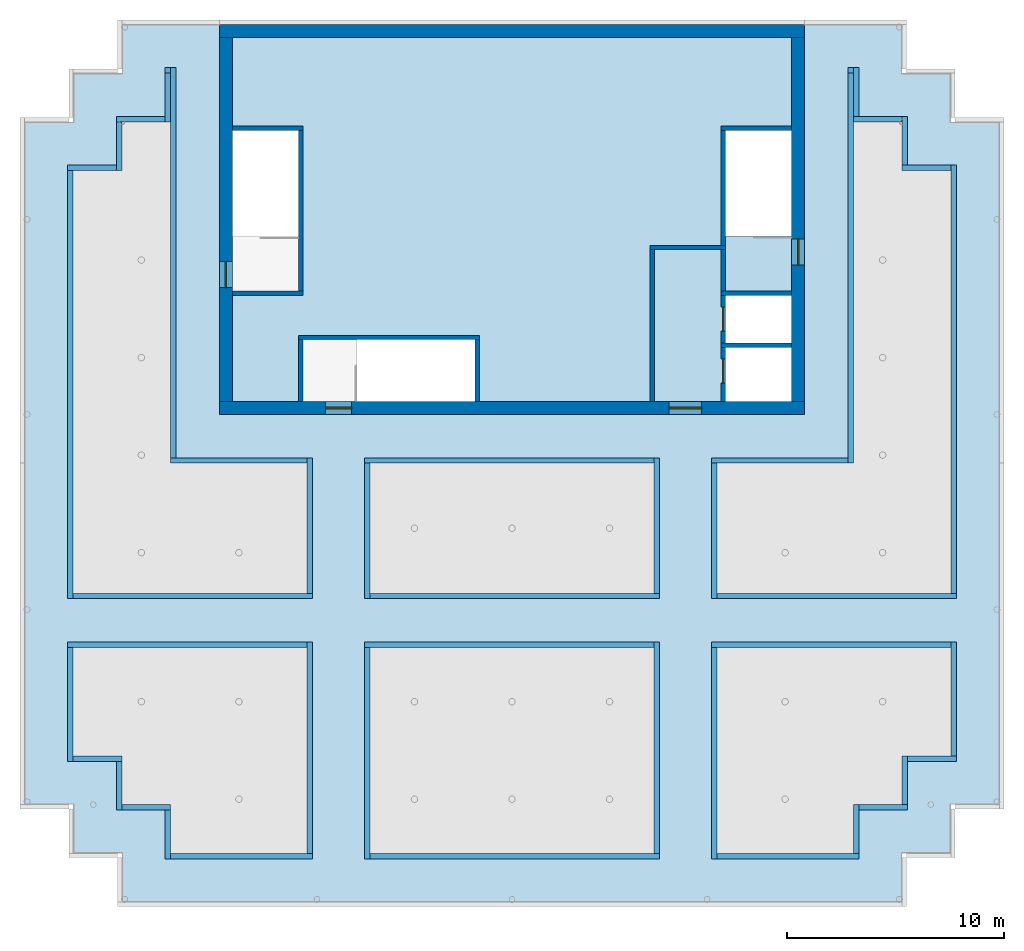
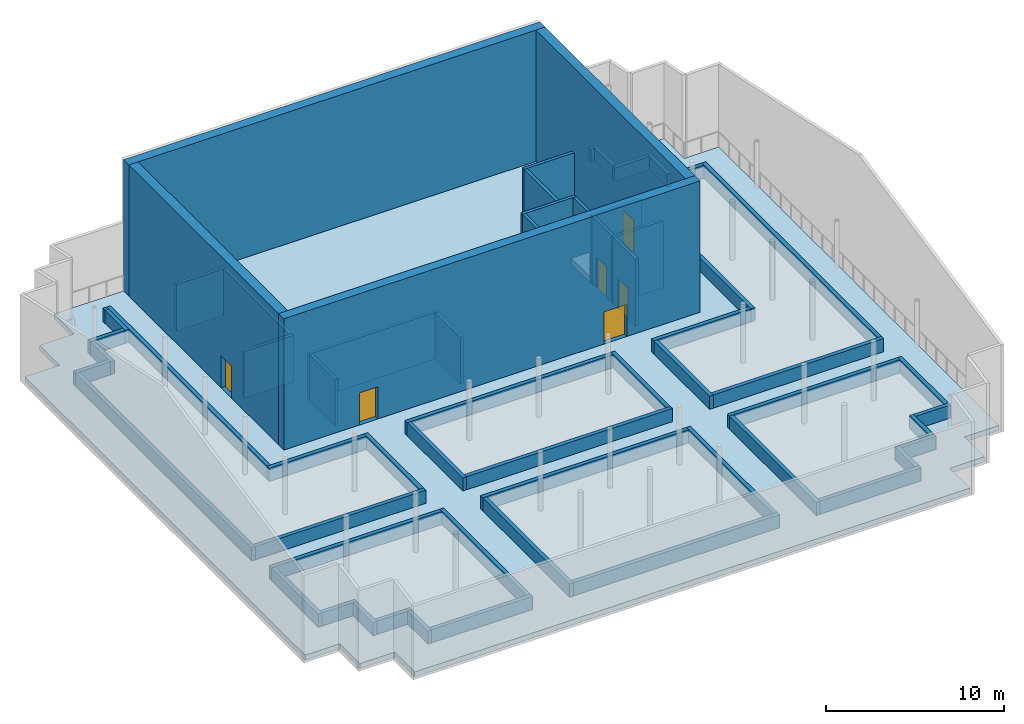
# One storey, part 6 of 9: 63 walls, 6 doors, 3 slabs, 6 openings.
"""IFC4 building model written with IfcOpenShell, lengths in metres."""

from ifc_helpers import new_model, si_unit, direction, frame, frame_2d, origin, place, context, subcontext, project, spatial, polyline, rectangle, outline, extrude, material, layer, layer_set, type_object, element, fill, save


model = new_model("IFC4")

# Units and contexts
model_context = context("Model", 3, precision=1e-05, world=origin(), true_north=direction((0.0, 1.0)))
body_context = subcontext(model_context, "Body", "Model", "MODEL_VIEW")
ifc_project = project(units=[si_unit("LENGTHUNIT", "METRE"), si_unit("AREAUNIT", "SQUARE_METRE"), si_unit("VOLUMEUNIT", "CUBIC_METRE"), si_unit("PLANEANGLEUNIT", "RADIAN"), si_unit("MASSUNIT", "GRAM", prefix="KILO")], contexts=[model_context])

# Site, building, storey
site_placement = place(None, origin())
site = spatial("IfcSite", under=ifc_project, at=site_placement, CompositionType="ELEMENT")
building_placement = place(site_placement, origin())
building = spatial("IfcBuilding", under=site, at=building_placement, Name="Orbiselva Terraces", CompositionType="ELEMENT")
storey_placement = place(building_placement, frame((0.0, 0.0, 303.4)))
storey = spatial("IfcBuildingStorey", under=building, at=storey_placement, Name="L75", CompositionType="ELEMENT", Elevation=303.4)

# Slabs
ifc_material_1 = material(Name="Concrete C40/50", Category="concrete")
ifc_layer_1 = layer(ifc_material_1, 0.35)
ifc_layer_set_1 = layer_set([ifc_layer_1], Name="Concrete C40/50")
slab_type_1 = type_object("IfcSlabType", Name="CORE-SLAB-ROOF-350", PredefinedType="ROOF", material=ifc_layer_set_1)
slab_1_placement = place(storey_placement, frame((0.0, 0.0, -0.35)))
element("IfcSlab", 1, at=slab_1_placement, inside=storey, type_object=slab_type_1, Name="L75 S2 roof landing", PredefinedType="ROOF", context=body_context, shape_type="SweptSolid", body=[
    extrude(outline(polyline([(12.9, 12.7), (12.9, 10.2), (9.85, 10.2), (9.85, 12.7), (12.9, 12.7)])), origin(), (0.0, 0.0, 1.0), 0.35),
])
slab_2_placement = place(storey_placement, frame((0.0, 0.0, -0.35)))
element("IfcSlab", 2, at=slab_2_placement, inside=storey, type_object=slab_type_1, Name="L75 core roof slab 1", PredefinedType="ROOF", context=body_context, shape_type="SweptSolid", body=[
    extrude(outline(polyline([(-1.7, 5.1), (-1.7, 7.95), (-9.65, 7.95), (-9.65, 5.1), (-12.9, 5.1), (-12.9, 10.2), (-9.85, 10.2), (-9.85, 17.6), (-12.9, 17.6), (-12.9, 21.9), (12.9, 21.9), (12.9, 17.6), (9.85, 17.6), (9.85, 10.2), (12.9, 10.2), (12.9, 10.0), (9.85, 10.0), (9.85, 7.8), (12.9, 7.8), (12.9, 7.6), (9.85, 7.6), (9.85, 5.1), (-1.7, 5.1)])), origin(), (0.0, 0.0, 1.0), 0.35),
])
ifc_material_2 = material(Name="Concrete C50/60", Category="concrete")
ifc_layer_2 = layer(ifc_material_2, 0.35)
ifc_layer_set_2 = layer_set([ifc_layer_2], Name="Concrete C50/60")
slab_type_2 = type_object("IfcSlabType", Name="ROOF SLAB 350", PredefinedType="ROOF", material=ifc_layer_set_2)
slab_3_placement = place(storey_placement, frame((0.0, 0.0, -0.35)))
element("IfcSlab", 3, at=slab_3_placement, inside=storey, type_object=slab_type_2, Name="Floor slab L75", PredefinedType="ROOF", context=body_context, shape_type="SweptSolid", body=[
    extrude(outline(polyline([(18.0, 22.5), (18.0, 20.25), (20.25, 20.25), (20.25, 18.0), (22.5, 18.0), (22.5, -13.5), (20.25, -13.5), (20.25, -15.75), (18.0, -15.75), (18.0, -18.0), (-18.0, -18.0), (-18.0, -15.75), (-20.25, -15.75), (-20.25, -13.5), (-22.5, -13.5), (-22.5, 18.0), (-20.25, 18.0), (-20.25, 20.25), (-18.0, 20.25), (-18.0, 22.5), (-13.5, 22.5), (-13.5, 4.5), (13.5, 4.5), (13.5, 22.5), (18.0, 22.5)])), origin(), (0.0, 0.0, 1.0), 0.35),
])

# Wall, openings, doors
ifc_material_3 = material(Name="Concrete C80/95", Category="concrete")
ifc_layer_3 = layer(ifc_material_3, 0.6)
ifc_layer_set_3 = layer_set([ifc_layer_3], Name="Concrete C80/95")
wall_type_1 = type_object("IfcWallType", Name="CORE WALL 600", PredefinedType="SHEAR", material=ifc_layer_set_3)
wall_1_placement = place(storey_placement, frame((-13.5, 4.8, -0.35), z_axis=(0.0, 0.0, 1.0), x_axis=(1.0, 0.0, 0.0)))
wall_1 = element("IfcWall", 4, at=wall_1_placement, inside=storey, type_object=wall_type_1, Name="Core wall L75 south", PredefinedType="SHEAR", context=body_context, shape_type="SweptSolid", body=[
    extrude(rectangle(XDim=27.0, YDim=0.6, at=frame_2d((13.5, 0.0))), origin(), (0.0, 0.0, 1.0), 9.35),
])
opening_1_placement = place(wall_1_placement, frame((4.9, 0.0, 0.35)))
opening_1 = element("IfcOpeningElement", 5, at=opening_1_placement, cuts=wall_1, Name="Opening DS1200", PredefinedType="OPENING", context=body_context, shape_type="SweptSolid", body=[
    extrude(rectangle(XDim=1.2, YDim=2.2, at=frame_2d((0.6, 1.1))), frame((0.0, 0.31, 0.0), z_axis=(0.0, -1.0, 0.0), x_axis=(1.0, 0.0, 0.0)), (0.0, 0.0, 1.0), 0.62),
])
opening_2_placement = place(wall_1_placement, frame((20.75, 0.0, 0.35)))
opening_2 = element("IfcOpeningElement", 6, at=opening_2_placement, cuts=wall_1, Name="Opening DF1500", PredefinedType="OPENING", context=body_context, shape_type="SweptSolid", body=[
    extrude(rectangle(XDim=1.5, YDim=2.2, at=frame_2d((0.75, 1.1))), frame((0.0, 0.31, 0.0), z_axis=(0.0, -1.0, 0.0), x_axis=(1.0, 0.0, 0.0)), (0.0, 0.0, 1.0), 0.62),
])
ifc_material_4 = material(Name="Steel fire door", Category="steel")
door_type_1 = type_object("IfcDoorType", Name="FFL DOOR 1500", OperationType="DOUBLE_DOOR_SINGLE_SWING", PredefinedType="DOOR", material=ifc_material_4)
door_1_placement = place(opening_2_placement, frame((1.5, 0.0, 0.0), z_axis=(0.0, 0.0, 1.0), x_axis=(-1.0, 0.0, 0.0)))
door_1 = element("IfcDoor", 7, at=door_1_placement, inside=storey, type_object=door_type_1, Name="L75 FIRE-FIGHTING LOBBY door", OperationType="DOUBLE_DOOR_SINGLE_SWING", OverallHeight=2.2, OverallWidth=1.5, PredefinedType="DOOR", context=body_context, shape_type="SweptSolid", body=[
    extrude(rectangle(XDim=1.5, YDim=2.2, at=frame_2d((0.75, 1.1))), frame((0.0, 0.025, 0.0), z_axis=(0.0, -1.0, 0.0), x_axis=(1.0, 0.0, 0.0)), (0.0, 0.0, 1.0), 0.05),
])
fill(opening_2, door_1)
door_type_2 = type_object("IfcDoorType", Name="STAIR DOOR 1200", OperationType="NOTDEFINED", PredefinedType="DOOR", material=ifc_material_4)
door_2_placement = place(opening_1_placement, frame((1.2, 0.0, 0.0), z_axis=(0.0, 0.0, 1.0), x_axis=(-1.0, 0.0, 0.0)))
door_2 = element("IfcDoor", 8, at=door_2_placement, inside=storey, type_object=door_type_2, Name="L75 EXIT STAIR S3 door", OperationType="SINGLE_SWING_LEFT", OverallHeight=2.2, OverallWidth=1.2, PredefinedType="DOOR", context=body_context, shape_type="SweptSolid", body=[
    extrude(rectangle(XDim=1.2, YDim=2.2, at=frame_2d((0.6, 1.1))), frame((0.0, 0.025, 0.0), z_axis=(0.0, -1.0, 0.0), x_axis=(1.0, 0.0, 0.0)), (0.0, 0.0, 1.0), 0.05),
])
fill(opening_1, door_2)

# Wall, opening, door
wall_2_placement = place(storey_placement, frame((13.2, 5.1, -0.35), z_axis=(0.0, 0.0, 1.0), x_axis=(0.0, 1.0, 0.0)))
wall_2 = element("IfcWall", 9, at=wall_2_placement, inside=storey, type_object=wall_type_1, Name="Core wall L75 east", PredefinedType="SHEAR", context=body_context, shape_type="SweptSolid", body=[
    extrude(rectangle(XDim=16.8, YDim=0.6, at=frame_2d((8.4, 0.0))), origin(), (0.0, 0.0, 1.0), 9.35),
])
opening_3_placement = place(wall_2_placement, frame((6.3, 0.0, 0.35)))
opening_3 = element("IfcOpeningElement", 10, at=opening_3_placement, cuts=wall_2, Name="Opening DS1200", PredefinedType="OPENING", context=body_context, shape_type="SweptSolid", body=[
    extrude(rectangle(XDim=1.2, YDim=2.2, at=frame_2d((0.6, 1.1))), frame((0.0, 0.31, 0.0), z_axis=(0.0, -1.0, 0.0), x_axis=(1.0, 0.0, 0.0)), (0.0, 0.0, 1.0), 0.62),
])
door_3_placement = place(opening_3_placement, frame((1.2, 0.0, 0.0), z_axis=(0.0, 0.0, 1.0), x_axis=(-1.0, 0.0, 0.0)))
door_3 = element("IfcDoor", 11, at=door_3_placement, inside=storey, type_object=door_type_2, Name="L75 EXIT STAIR S2 door", OperationType="SINGLE_SWING_LEFT", OverallHeight=2.2, OverallWidth=1.2, PredefinedType="DOOR", context=body_context, shape_type="SweptSolid", body=[
    extrude(rectangle(XDim=1.2, YDim=2.2, at=frame_2d((0.6, 1.1))), frame((0.0, 0.025, 0.0), z_axis=(0.0, -1.0, 0.0), x_axis=(1.0, 0.0, 0.0)), (0.0, 0.0, 1.0), 0.05),
])
fill(opening_3, door_3)

wall_3_placement = place(storey_placement, frame((-13.2, 21.9, -0.35), z_axis=(0.0, 0.0, 1.0), x_axis=(0.0, -1.0, 0.0)))
wall_3 = element("IfcWall", 12, at=wall_3_placement, inside=storey, type_object=wall_type_1, Name="Core wall L75 west", PredefinedType="SHEAR", context=body_context, shape_type="SweptSolid", body=[
    extrude(rectangle(XDim=16.8, YDim=0.6, at=frame_2d((8.4, 0.0))), origin(), (0.0, 0.0, 1.0), 9.35),
])
opening_4_placement = place(wall_3_placement, frame((10.35, 0.0, 0.35)))
opening_4 = element("IfcOpeningElement", 13, at=opening_4_placement, cuts=wall_3, Name="Opening DS1200", PredefinedType="OPENING", context=body_context, shape_type="SweptSolid", body=[
    extrude(rectangle(XDim=1.2, YDim=2.2, at=frame_2d((0.6, 1.1))), frame((0.0, 0.31, 0.0), z_axis=(0.0, -1.0, 0.0), x_axis=(1.0, 0.0, 0.0)), (0.0, 0.0, 1.0), 0.62),
])
door_4_placement = place(opening_4_placement, frame((1.2, 0.0, 0.0), z_axis=(0.0, 0.0, 1.0), x_axis=(-1.0, 0.0, 0.0)))
door_4 = element("IfcDoor", 14, at=door_4_placement, inside=storey, type_object=door_type_2, Name="L75 EXIT STAIR S1 door", OperationType="SINGLE_SWING_RIGHT", OverallHeight=2.2, OverallWidth=1.2, PredefinedType="DOOR", context=body_context, shape_type="SweptSolid", body=[
    extrude(rectangle(XDim=1.2, YDim=2.2, at=frame_2d((0.6, 1.1))), frame((0.0, 0.025, 0.0), z_axis=(0.0, -1.0, 0.0), x_axis=(1.0, 0.0, 0.0)), (0.0, 0.0, 1.0), 0.05),
])
fill(opening_4, door_4)

# Walls
ifc_layer_4 = layer(ifc_material_3, 0.6)
ifc_layer_set_4 = layer_set([ifc_layer_4], Name="Concrete C80/95")
wall_type_2 = type_object("IfcWallType", Name="CORE WALL 600 EXTERNAL", PredefinedType="SHEAR", material=ifc_layer_set_4)
wall_4_placement = place(storey_placement, frame((13.5, 22.2, -0.35), z_axis=(0.0, 0.0, 1.0), x_axis=(-1.0, 0.0, 0.0)))
element("IfcWall", 15, at=wall_4_placement, inside=storey, type_object=wall_type_2, Name="Core wall L75 north", PredefinedType="SHEAR", context=body_context, shape_type="SweptSolid", body=[
    extrude(rectangle(XDim=27.0, YDim=0.6, at=frame_2d((13.5, 0.0))), origin(), (0.0, 0.0, 1.0), 9.35),
])
ifc_material_5 = material(Name="Concrete C60/75", Category="concrete")
ifc_layer_5 = layer(ifc_material_5, 0.2)
ifc_layer_set_5 = layer_set([ifc_layer_5], Name="Concrete C60/75")
wall_type_3 = type_object("IfcWallType", Name="CORE-WALL-SHEAR-200", PredefinedType="SHEAR", material=ifc_layer_set_5)
for number, where, z_axis, x_axis, name in (
    (16, (-12.9, 10.1, 0.0), (0.0, 0.0, 1.0), (1.0, 0.0, 0.0), "L75 core wall 01"),
    (17, (-12.9, 17.7, 0.0), (0.0, 0.0, 1.0), (1.0, 0.0, 0.0), "L75 core wall 02"),
):
    element("IfcWall", number, at=place(storey_placement, frame(where, z_axis=z_axis, x_axis=x_axis)), inside=storey, type_object=wall_type_3, Name=name, PredefinedType="SHEAR", context=body_context, shape_type="SweptSolid", body=[
        extrude(rectangle(XDim=3.25, YDim=0.2, at=frame_2d((1.625, 0.0))), origin(), (0.0, 0.0, 1.0), 3.2),
    ])
wall_5_placement = place(storey_placement, frame((-9.75, 5.1, 0.0), z_axis=(0.0, 0.0, 1.0), x_axis=(0.0, 1.0, 0.0)))
element("IfcWall", 18, at=wall_5_placement, inside=storey, type_object=wall_type_3, Name="L75 core wall 03", PredefinedType="SHEAR", context=body_context, shape_type="SweptSolid", body=[
    extrude(rectangle(XDim=2.85, YDim=0.2, at=frame_2d((1.425, 0.0))), origin(), (0.0, 0.0, 1.0), 3.2),
])
wall_6_placement = place(storey_placement, frame((-9.85, 8.05, 0.0), z_axis=(0.0, 0.0, 1.0), x_axis=(1.0, 0.0, 0.0)))
element("IfcWall", 19, at=wall_6_placement, inside=storey, type_object=wall_type_3, Name="L75 core wall 04", PredefinedType="SHEAR", context=body_context, shape_type="SweptSolid", body=[
    extrude(rectangle(XDim=8.35, YDim=0.2, at=frame_2d((4.175, 0.0))), origin(), (0.0, 0.0, 1.0), 3.2),
])
wall_7_placement = place(storey_placement, frame((-9.75, 10.2, 0.0), z_axis=(0.0, 0.0, 1.0), x_axis=(0.0, 1.0, 0.0)))
element("IfcWall", 20, at=wall_7_placement, inside=storey, type_object=wall_type_3, Name="L75 core wall 05", PredefinedType="SHEAR", context=body_context, shape_type="SweptSolid", body=[
    extrude(rectangle(XDim=7.4, YDim=0.2, at=frame_2d((3.7, 0.0))), origin(), (0.0, 0.0, 1.0), 3.2),
])
wall_8_placement = place(storey_placement, frame((-1.6, 5.1, 0.0), z_axis=(0.0, 0.0, 1.0), x_axis=(0.0, 1.0, 0.0)))
element("IfcWall", 21, at=wall_8_placement, inside=storey, type_object=wall_type_3, Name="L75 core wall 06", PredefinedType="SHEAR", context=body_context, shape_type="SweptSolid", body=[
    extrude(rectangle(XDim=2.85, YDim=0.2, at=frame_2d((1.425, 0.0))), origin(), (0.0, 0.0, 1.0), 3.2),
])
wall_9_placement = place(storey_placement, frame((6.475, 5.1, 0.0), z_axis=(0.0, 0.0, 1.0), x_axis=(0.0, 1.0, 0.0)))
element("IfcWall", 22, at=wall_9_placement, inside=storey, type_object=wall_type_3, Name="L75 core wall 07", PredefinedType="SHEAR", context=body_context, shape_type="SweptSolid", body=[
    extrude(rectangle(XDim=7.0, YDim=0.2, at=frame_2d((3.5, 0.0))), origin(), (0.0, 0.0, 1.0), 4.6),
])
wall_10_placement = place(storey_placement, frame((6.375, 12.2, 0.0), z_axis=(0.0, 0.0, 1.0), x_axis=(1.0, 0.0, 0.0)))
element("IfcWall", 23, at=wall_10_placement, inside=storey, type_object=wall_type_3, Name="L75 core wall 08", PredefinedType="SHEAR", context=body_context, shape_type="SweptSolid", body=[
    extrude(rectangle(XDim=3.475, YDim=0.2, at=frame_2d((1.7375, 0.0))), origin(), (0.0, 0.0, 1.0), 4.6),
])

# Wall, opening, door
wall_11_placement = place(storey_placement, frame((9.75, 5.1, 0.0), z_axis=(0.0, 0.0, 1.0), x_axis=(0.0, 1.0, 0.0)))
wall_11 = element("IfcWall", 24, at=wall_11_placement, inside=storey, type_object=wall_type_3, Name="L75 core wall 09", PredefinedType="SHEAR", context=body_context, shape_type="SweptSolid", body=[
    extrude(rectangle(XDim=2.5, YDim=0.2, at=frame_2d((1.25, 0.0))), origin(), (0.0, 0.0, 1.0), 4.6),
])
opening_5_placement = place(wall_11_placement, frame((0.85, 0.0, 0.0)))
opening_5 = element("IfcOpeningElement", 25, at=opening_5_placement, cuts=wall_11, Name="Opening LD-FF1", PredefinedType="OPENING", context=body_context, shape_type="SweptSolid", body=[
    extrude(rectangle(XDim=1.1, YDim=2.1, at=frame_2d((0.55, 1.05))), frame((0.0, 0.11, 0.0), z_axis=(0.0, -1.0, 0.0), x_axis=(1.0, 0.0, 0.0)), (0.0, 0.0, 1.0), 0.22),
])
ifc_material_6 = material(Name="Stainless steel landing door", Category="steel")
door_type_3 = type_object("IfcDoorType", Name="LANDING DOOR 1100", OperationType="SLIDING_TO_LEFT", PredefinedType="DOOR", material=ifc_material_6)
door_5_placement = place(opening_5_placement, origin())
door_5 = element("IfcDoor", 26, at=door_5_placement, inside=storey, type_object=door_type_3, Name="L75 landing door FF1", OperationType="SLIDING_TO_RIGHT", OverallHeight=2.1, OverallWidth=1.1, PredefinedType="DOOR", context=body_context, shape_type="SweptSolid", body=[
    extrude(rectangle(XDim=1.1, YDim=2.1, at=frame_2d((0.55, 1.05))), frame((0.0, 0.025, 0.0), z_axis=(0.0, -1.0, 0.0), x_axis=(1.0, 0.0, 0.0)), (0.0, 0.0, 1.0), 0.05),
])
fill(opening_5, door_5)

# Wall
wall_12_placement = place(storey_placement, frame((9.65, 7.7, 0.0), z_axis=(0.0, 0.0, 1.0), x_axis=(1.0, 0.0, 0.0)))
element("IfcWall", 27, at=wall_12_placement, inside=storey, type_object=wall_type_3, Name="L75 core wall 10", PredefinedType="SHEAR", context=body_context, shape_type="SweptSolid", body=[
    extrude(rectangle(XDim=3.25, YDim=0.2, at=frame_2d((1.625, 0.0))), origin(), (0.0, 0.0, 1.0), 4.6),
])

# Wall, opening, door
wall_13_placement = place(storey_placement, frame((9.75, 7.8, 0.0), z_axis=(0.0, 0.0, 1.0), x_axis=(0.0, 1.0, 0.0)))
wall_13 = element("IfcWall", 28, at=wall_13_placement, inside=storey, type_object=wall_type_3, Name="L75 core wall 11", PredefinedType="SHEAR", context=body_context, shape_type="SweptSolid", body=[
    extrude(rectangle(XDim=2.2, YDim=0.2, at=frame_2d((1.1, 0.0))), origin(), (0.0, 0.0, 1.0), 4.6),
])
opening_6_placement = place(wall_13_placement, frame((0.55, 0.0, 0.0)))
opening_6 = element("IfcOpeningElement", 29, at=opening_6_placement, cuts=wall_13, Name="Opening LD-FF2", PredefinedType="OPENING", context=body_context, shape_type="SweptSolid", body=[
    extrude(rectangle(XDim=1.1, YDim=2.1, at=frame_2d((0.55, 1.05))), frame((0.0, 0.11, 0.0), z_axis=(0.0, -1.0, 0.0), x_axis=(1.0, 0.0, 0.0)), (0.0, 0.0, 1.0), 0.22),
])
door_6_placement = place(opening_6_placement, origin())
door_6 = element("IfcDoor", 30, at=door_6_placement, inside=storey, type_object=door_type_3, Name="L75 landing door FF2", OperationType="SLIDING_TO_RIGHT", OverallHeight=2.1, OverallWidth=1.1, PredefinedType="DOOR", context=body_context, shape_type="SweptSolid", body=[
    extrude(rectangle(XDim=1.1, YDim=2.1, at=frame_2d((0.55, 1.05))), frame((0.0, 0.025, 0.0), z_axis=(0.0, -1.0, 0.0), x_axis=(1.0, 0.0, 0.0)), (0.0, 0.0, 1.0), 0.05),
])
fill(opening_6, door_6)

# Walls
wall_14_placement = place(storey_placement, frame((9.65, 10.1, 0.0), z_axis=(0.0, 0.0, 1.0), x_axis=(1.0, 0.0, 0.0)))
element("IfcWall", 31, at=wall_14_placement, inside=storey, type_object=wall_type_3, Name="L75 core wall 12", PredefinedType="SHEAR", context=body_context, shape_type="SweptSolid", body=[
    extrude(rectangle(XDim=3.25, YDim=0.2, at=frame_2d((1.625, 0.0))), origin(), (0.0, 0.0, 1.0), 4.6),
])
wall_15_placement = place(storey_placement, frame((9.75, 10.2, 0.0), z_axis=(0.0, 0.0, 1.0), x_axis=(0.0, 1.0, 0.0)))
element("IfcWall", 32, at=wall_15_placement, inside=storey, type_object=wall_type_3, Name="L75 core wall 13", PredefinedType="SHEAR", context=body_context, shape_type="SweptSolid", body=[
    extrude(rectangle(XDim=1.9, YDim=0.2, at=frame_2d((0.95, 0.0))), origin(), (0.0, 0.0, 1.0), 4.6),
])
wall_16_placement = place(storey_placement, frame((9.75, 12.3, 0.0), z_axis=(0.0, 0.0, 1.0), x_axis=(0.0, 1.0, 0.0)))
element("IfcWall", 33, at=wall_16_placement, inside=storey, type_object=wall_type_3, Name="L75 core wall 14", PredefinedType="SHEAR", context=body_context, shape_type="SweptSolid", body=[
    extrude(rectangle(XDim=5.3, YDim=0.2, at=frame_2d((2.65, 0.0))), origin(), (0.0, 0.0, 1.0), 3.2),
])
wall_17_placement = place(storey_placement, frame((9.65, 17.7, 0.0), z_axis=(0.0, 0.0, 1.0), x_axis=(1.0, 0.0, 0.0)))
element("IfcWall", 34, at=wall_17_placement, inside=storey, type_object=wall_type_3, Name="L75 core wall 15", PredefinedType="SHEAR", context=body_context, shape_type="SweptSolid", body=[
    extrude(rectangle(XDim=3.25, YDim=0.2, at=frame_2d((1.625, 0.0))), origin(), (0.0, 0.0, 1.0), 3.2),
])
ifc_layer_6 = layer(ifc_material_1, 0.25)
ifc_layer_set_6 = layer_set([ifc_layer_6], Name="Concrete C40/50")
wall_type_4 = type_object("IfcWallType", Name="ENV-GARDEN-BED-250x900", PredefinedType="USERDEFINED", material=ifc_layer_set_6)
wall_18_placement = place(storey_placement, frame((-6.55, -15.875, 0.0), z_axis=(0.0, 0.0, 1.0), x_axis=(1.0, 0.0, 0.0)))
element("IfcWall", 35, at=wall_18_placement, inside=storey, type_object=wall_type_4, Name="Planter L75 Planting bed 1", ObjectType="PLANTER", PredefinedType="USERDEFINED", context=body_context, shape_type="SweptSolid", body=[
    extrude(rectangle(XDim=13.35, YDim=0.25, at=frame_2d((6.675, 0.0))), origin(), (0.0, 0.0, 1.0), 0.9),
])
wall_19_placement = place(storey_placement, frame((6.675, -15.75, 0.0), z_axis=(0.0, 0.0, 1.0), x_axis=(0.0, 1.0, 0.0)))
element("IfcWall", 36, at=wall_19_placement, inside=storey, type_object=wall_type_4, Name="Planter L75 Planting bed 1", ObjectType="PLANTER", PredefinedType="USERDEFINED", context=body_context, shape_type="SweptSolid", body=[
    extrude(rectangle(XDim=9.75, YDim=0.25, at=frame_2d((4.875, 0.0))), origin(), (0.0, 0.0, 1.0), 0.9),
])
wall_20_placement = place(storey_placement, frame((6.55, -6.125, 0.0), z_axis=(0.0, 0.0, 1.0), x_axis=(-1.0, 0.0, 0.0)))
element("IfcWall", 37, at=wall_20_placement, inside=storey, type_object=wall_type_4, Name="Planter L75 Planting bed 1", ObjectType="PLANTER", PredefinedType="USERDEFINED", context=body_context, shape_type="SweptSolid", body=[
    extrude(rectangle(XDim=13.35, YDim=0.25, at=frame_2d((6.675, 0.0))), origin(), (0.0, 0.0, 1.0), 0.9),
])
wall_21_placement = place(storey_placement, frame((-6.675, -6.25, 0.0), z_axis=(0.0, 0.0, 1.0), x_axis=(0.0, -1.0, 0.0)))
element("IfcWall", 38, at=wall_21_placement, inside=storey, type_object=wall_type_4, Name="Planter L75 Planting bed 1", ObjectType="PLANTER", PredefinedType="USERDEFINED", context=body_context, shape_type="SweptSolid", body=[
    extrude(rectangle(XDim=9.75, YDim=0.25, at=frame_2d((4.875, 0.0))), origin(), (0.0, 0.0, 1.0), 0.9),
])
wall_22_placement = place(storey_placement, frame((-15.75, -15.875, 0.0), z_axis=(0.0, 0.0, 1.0), x_axis=(1.0, 0.0, 0.0)))
element("IfcWall", 39, at=wall_22_placement, inside=storey, type_object=wall_type_4, Name="Planter L75 Planting bed 2", ObjectType="PLANTER", PredefinedType="USERDEFINED", context=body_context, shape_type="SweptSolid", body=[
    extrude(rectangle(XDim=6.55, YDim=0.25, at=frame_2d((3.275, 0.0))), origin(), (0.0, 0.0, 1.0), 0.9),
])
wall_23_placement = place(storey_placement, frame((-9.325, -15.75, 0.0), z_axis=(0.0, 0.0, 1.0), x_axis=(0.0, 1.0, 0.0)))
element("IfcWall", 40, at=wall_23_placement, inside=storey, type_object=wall_type_4, Name="Planter L75 Planting bed 2", ObjectType="PLANTER", PredefinedType="USERDEFINED", context=body_context, shape_type="SweptSolid", body=[
    extrude(rectangle(XDim=9.75, YDim=0.25, at=frame_2d((4.875, 0.0))), origin(), (0.0, 0.0, 1.0), 0.9),
])
wall_24_placement = place(storey_placement, frame((-9.45, -6.125, 0.0), z_axis=(0.0, 0.0, 1.0), x_axis=(-1.0, 0.0, 0.0)))
element("IfcWall", 41, at=wall_24_placement, inside=storey, type_object=wall_type_4, Name="Planter L75 Planting bed 2", ObjectType="PLANTER", PredefinedType="USERDEFINED", context=body_context, shape_type="SweptSolid", body=[
    extrude(rectangle(XDim=11.05, YDim=0.25, at=frame_2d((5.525, 0.0))), origin(), (0.0, 0.0, 1.0), 0.9),
])
wall_25_placement = place(storey_placement, frame((-20.375, -6.25, 0.0), z_axis=(0.0, 0.0, 1.0), x_axis=(0.0, -1.0, 0.0)))
element("IfcWall", 42, at=wall_25_placement, inside=storey, type_object=wall_type_4, Name="Planter L75 Planting bed 2", ObjectType="PLANTER", PredefinedType="USERDEFINED", context=body_context, shape_type="SweptSolid", body=[
    extrude(rectangle(XDim=5.25, YDim=0.25, at=frame_2d((2.625, 0.0))), origin(), (0.0, 0.0, 1.0), 0.9),
])
for number, where, z_axis, x_axis, name in (
    (43, (-20.25, -11.375, 0.0), (0.0, 0.0, 1.0), (1.0, 0.0, 0.0), "Planter L75 Planting bed 2"),
    (44, (-18.125, -11.5, 0.0), (0.0, 0.0, 1.0), (0.0, -1.0, 0.0), "Planter L75 Planting bed 2"),
    (45, (-18.0, -13.625, 0.0), (0.0, 0.0, 1.0), (1.0, 0.0, 0.0), "Planter L75 Planting bed 2"),
    (46, (-15.875, -13.75, 0.0), (0.0, 0.0, 1.0), (0.0, -1.0, 0.0), "Planter L75 Planting bed 2"),
):
    element("IfcWall", number, at=place(storey_placement, frame(where, z_axis=z_axis, x_axis=x_axis)), inside=storey, type_object=wall_type_4, Name=name, ObjectType="PLANTER", PredefinedType="USERDEFINED", context=body_context, shape_type="SweptSolid", body=[
        extrude(rectangle(XDim=2.25, YDim=0.25, at=frame_2d((1.125, 0.0))), origin(), (0.0, 0.0, 1.0), 0.9),
    ])
wall_26_placement = place(storey_placement, frame((20.375, -11.25, 0.0), z_axis=(0.0, 0.0, 1.0), x_axis=(0.0, 1.0, 0.0)))
element("IfcWall", 47, at=wall_26_placement, inside=storey, type_object=wall_type_4, Name="Planter L75 Planting bed 3", ObjectType="PLANTER", PredefinedType="USERDEFINED", context=body_context, shape_type="SweptSolid", body=[
    extrude(rectangle(XDim=5.25, YDim=0.25, at=frame_2d((2.625, 0.0))), origin(), (0.0, 0.0, 1.0), 0.9),
])
wall_27_placement = place(storey_placement, frame((20.25, -6.125, 0.0), z_axis=(0.0, 0.0, 1.0), x_axis=(-1.0, 0.0, 0.0)))
element("IfcWall", 48, at=wall_27_placement, inside=storey, type_object=wall_type_4, Name="Planter L75 Planting bed 3", ObjectType="PLANTER", PredefinedType="USERDEFINED", context=body_context, shape_type="SweptSolid", body=[
    extrude(rectangle(XDim=11.05, YDim=0.25, at=frame_2d((5.525, 0.0))), origin(), (0.0, 0.0, 1.0), 0.9),
])
wall_28_placement = place(storey_placement, frame((9.325, -6.25, 0.0), z_axis=(0.0, 0.0, 1.0), x_axis=(0.0, -1.0, 0.0)))
element("IfcWall", 49, at=wall_28_placement, inside=storey, type_object=wall_type_4, Name="Planter L75 Planting bed 3", ObjectType="PLANTER", PredefinedType="USERDEFINED", context=body_context, shape_type="SweptSolid", body=[
    extrude(rectangle(XDim=9.75, YDim=0.25, at=frame_2d((4.875, 0.0))), origin(), (0.0, 0.0, 1.0), 0.9),
])
wall_29_placement = place(storey_placement, frame((9.45, -15.875, 0.0), z_axis=(0.0, 0.0, 1.0), x_axis=(1.0, 0.0, 0.0)))
element("IfcWall", 50, at=wall_29_placement, inside=storey, type_object=wall_type_4, Name="Planter L75 Planting bed 3", ObjectType="PLANTER", PredefinedType="USERDEFINED", context=body_context, shape_type="SweptSolid", body=[
    extrude(rectangle(XDim=6.55, YDim=0.25, at=frame_2d((3.275, 0.0))), origin(), (0.0, 0.0, 1.0), 0.9),
])
for number, where, z_axis, x_axis, name in (
    (51, (15.875, -15.75, 0.0), (0.0, 0.0, 1.0), (0.0, 1.0, 0.0), "Planter L75 Planting bed 3"),
    (52, (16.0, -13.625, 0.0), (0.0, 0.0, 1.0), (1.0, 0.0, 0.0), "Planter L75 Planting bed 3"),
    (53, (18.125, -13.5, 0.0), (0.0, 0.0, 1.0), (0.0, 1.0, 0.0), "Planter L75 Planting bed 3"),
    (54, (18.25, -11.375, 0.0), (0.0, 0.0, 1.0), (1.0, 0.0, 0.0), "Planter L75 Planting bed 3"),
):
    element("IfcWall", number, at=place(storey_placement, frame(where, z_axis=z_axis, x_axis=x_axis)), inside=storey, type_object=wall_type_4, Name=name, ObjectType="PLANTER", PredefinedType="USERDEFINED", context=body_context, shape_type="SweptSolid", body=[
        extrude(rectangle(XDim=2.25, YDim=0.25, at=frame_2d((1.125, 0.0))), origin(), (0.0, 0.0, 1.0), 0.9),
    ])
wall_30_placement = place(storey_placement, frame((6.55, 2.375, 0.0), z_axis=(0.0, 0.0, 1.0), x_axis=(-1.0, 0.0, 0.0)))
element("IfcWall", 55, at=wall_30_placement, inside=storey, type_object=wall_type_4, Name="Planter L75 Planting bed 4", ObjectType="PLANTER", PredefinedType="USERDEFINED", context=body_context, shape_type="SweptSolid", body=[
    extrude(rectangle(XDim=13.35, YDim=0.25, at=frame_2d((6.675, 0.0))), origin(), (0.0, 0.0, 1.0), 0.9),
])
wall_31_placement = place(storey_placement, frame((-6.675, 2.25, 0.0), z_axis=(0.0, 0.0, 1.0), x_axis=(0.0, -1.0, 0.0)))
element("IfcWall", 56, at=wall_31_placement, inside=storey, type_object=wall_type_4, Name="Planter L75 Planting bed 4", ObjectType="PLANTER", PredefinedType="USERDEFINED", context=body_context, shape_type="SweptSolid", body=[
    extrude(rectangle(XDim=6.25, YDim=0.25, at=frame_2d((3.125, 0.0))), origin(), (0.0, 0.0, 1.0), 0.9),
])
wall_32_placement = place(storey_placement, frame((-6.55, -3.875, 0.0), z_axis=(0.0, 0.0, 1.0), x_axis=(1.0, 0.0, 0.0)))
element("IfcWall", 57, at=wall_32_placement, inside=storey, type_object=wall_type_4, Name="Planter L75 Planting bed 4", ObjectType="PLANTER", PredefinedType="USERDEFINED", context=body_context, shape_type="SweptSolid", body=[
    extrude(rectangle(XDim=13.35, YDim=0.25, at=frame_2d((6.675, 0.0))), origin(), (0.0, 0.0, 1.0), 0.9),
])
wall_33_placement = place(storey_placement, frame((6.675, -3.75, 0.0), z_axis=(0.0, 0.0, 1.0), x_axis=(0.0, 1.0, 0.0)))
element("IfcWall", 58, at=wall_33_placement, inside=storey, type_object=wall_type_4, Name="Planter L75 Planting bed 4", ObjectType="PLANTER", PredefinedType="USERDEFINED", context=body_context, shape_type="SweptSolid", body=[
    extrude(rectangle(XDim=6.25, YDim=0.25, at=frame_2d((3.125, 0.0))), origin(), (0.0, 0.0, 1.0), 0.9),
])
wall_34_placement = place(storey_placement, frame((-20.375, 15.75, 0.0), z_axis=(0.0, 0.0, 1.0), x_axis=(0.0, -1.0, 0.0)))
element("IfcWall", 59, at=wall_34_placement, inside=storey, type_object=wall_type_4, Name="Planter L75 Planting bed 5", ObjectType="PLANTER", PredefinedType="USERDEFINED", context=body_context, shape_type="SweptSolid", body=[
    extrude(rectangle(XDim=19.75, YDim=0.25, at=frame_2d((9.875, 0.0))), origin(), (0.0, 0.0, 1.0), 0.9),
])
wall_35_placement = place(storey_placement, frame((-20.25, -3.875, 0.0), z_axis=(0.0, 0.0, 1.0), x_axis=(1.0, 0.0, 0.0)))
element("IfcWall", 60, at=wall_35_placement, inside=storey, type_object=wall_type_4, Name="Planter L75 Planting bed 5", ObjectType="PLANTER", PredefinedType="USERDEFINED", context=body_context, shape_type="SweptSolid", body=[
    extrude(rectangle(XDim=11.05, YDim=0.25, at=frame_2d((5.525, 0.0))), origin(), (0.0, 0.0, 1.0), 0.9),
])
wall_36_placement = place(storey_placement, frame((-9.325, -3.75, 0.0), z_axis=(0.0, 0.0, 1.0), x_axis=(0.0, 1.0, 0.0)))
element("IfcWall", 61, at=wall_36_placement, inside=storey, type_object=wall_type_4, Name="Planter L75 Planting bed 5", ObjectType="PLANTER", PredefinedType="USERDEFINED", context=body_context, shape_type="SweptSolid", body=[
    extrude(rectangle(XDim=6.25, YDim=0.25, at=frame_2d((3.125, 0.0))), origin(), (0.0, 0.0, 1.0), 0.9),
])
wall_37_placement = place(storey_placement, frame((-9.45, 2.375, 0.0), z_axis=(0.0, 0.0, 1.0), x_axis=(-1.0, 0.0, 0.0)))
element("IfcWall", 62, at=wall_37_placement, inside=storey, type_object=wall_type_4, Name="Planter L75 Planting bed 5", ObjectType="PLANTER", PredefinedType="USERDEFINED", context=body_context, shape_type="SweptSolid", body=[
    extrude(rectangle(XDim=6.3, YDim=0.25, at=frame_2d((3.15, 0.0))), origin(), (0.0, 0.0, 1.0), 0.9),
])
wall_38_placement = place(storey_placement, frame((-15.625, 2.5, 0.0), z_axis=(0.0, 0.0, 1.0), x_axis=(0.0, 1.0, 0.0)))
element("IfcWall", 63, at=wall_38_placement, inside=storey, type_object=wall_type_4, Name="Planter L75 Planting bed 5", ObjectType="PLANTER", PredefinedType="USERDEFINED", context=body_context, shape_type="SweptSolid", body=[
    extrude(rectangle(XDim=18.0, YDim=0.25, at=frame_2d((9.0, 0.0))), origin(), (0.0, 0.0, 1.0), 0.9),
])
wall_39_placement = place(storey_placement, frame((-15.75, 20.375, 0.0), z_axis=(0.0, 0.0, 1.0), x_axis=(-1.0, 0.0, 0.0)))
element("IfcWall", 64, at=wall_39_placement, inside=storey, type_object=wall_type_4, Name="Planter L75 Planting bed 5", ObjectType="PLANTER", PredefinedType="USERDEFINED", context=body_context, shape_type="SweptSolid", body=[
    extrude(rectangle(XDim=0.25, YDim=0.25, at=frame_2d((0.125, 0.0))), origin(), (0.0, 0.0, 1.0), 0.9),
])
for number, where, z_axis, x_axis, name in (
    (65, (-15.875, 20.25, 0.0), (0.0, 0.0, 1.0), (0.0, -1.0, 0.0), "Planter L75 Planting bed 5"),
    (66, (-16.0, 18.125, 0.0), (0.0, 0.0, 1.0), (-1.0, 0.0, 0.0), "Planter L75 Planting bed 5"),
    (67, (-18.125, 18.0, 0.0), (0.0, 0.0, 1.0), (0.0, -1.0, 0.0), "Planter L75 Planting bed 5"),
    (68, (-18.25, 15.875, 0.0), (0.0, 0.0, 1.0), (-1.0, 0.0, 0.0), "Planter L75 Planting bed 5"),
    (69, (15.875, 18.25, 0.0), (0.0, 0.0, 1.0), (0.0, 1.0, 0.0), "Planter L75 Planting bed 6"),
):
    element("IfcWall", number, at=place(storey_placement, frame(where, z_axis=z_axis, x_axis=x_axis)), inside=storey, type_object=wall_type_4, Name=name, ObjectType="PLANTER", PredefinedType="USERDEFINED", context=body_context, shape_type="SweptSolid", body=[
        extrude(rectangle(XDim=2.25, YDim=0.25, at=frame_2d((1.125, 0.0))), origin(), (0.0, 0.0, 1.0), 0.9),
    ])
wall_40_placement = place(storey_placement, frame((15.75, 20.375, 0.0), z_axis=(0.0, 0.0, 1.0), x_axis=(-1.0, 0.0, 0.0)))
element("IfcWall", 70, at=wall_40_placement, inside=storey, type_object=wall_type_4, Name="Planter L75 Planting bed 6", ObjectType="PLANTER", PredefinedType="USERDEFINED", context=body_context, shape_type="SweptSolid", body=[
    extrude(rectangle(XDim=0.25, YDim=0.25, at=frame_2d((0.125, 0.0))), origin(), (0.0, 0.0, 1.0), 0.9),
])
wall_41_placement = place(storey_placement, frame((15.625, 20.25, 0.0), z_axis=(0.0, 0.0, 1.0), x_axis=(0.0, -1.0, 0.0)))
element("IfcWall", 71, at=wall_41_placement, inside=storey, type_object=wall_type_4, Name="Planter L75 Planting bed 6", ObjectType="PLANTER", PredefinedType="USERDEFINED", context=body_context, shape_type="SweptSolid", body=[
    extrude(rectangle(XDim=18.0, YDim=0.25, at=frame_2d((9.0, 0.0))), origin(), (0.0, 0.0, 1.0), 0.9),
])
wall_42_placement = place(storey_placement, frame((15.5, 2.375, 0.0), z_axis=(0.0, 0.0, 1.0), x_axis=(-1.0, 0.0, 0.0)))
element("IfcWall", 72, at=wall_42_placement, inside=storey, type_object=wall_type_4, Name="Planter L75 Planting bed 6", ObjectType="PLANTER", PredefinedType="USERDEFINED", context=body_context, shape_type="SweptSolid", body=[
    extrude(rectangle(XDim=6.3, YDim=0.25, at=frame_2d((3.15, 0.0))), origin(), (0.0, 0.0, 1.0), 0.9),
])
wall_43_placement = place(storey_placement, frame((9.325, 2.25, 0.0), z_axis=(0.0, 0.0, 1.0), x_axis=(0.0, -1.0, 0.0)))
element("IfcWall", 73, at=wall_43_placement, inside=storey, type_object=wall_type_4, Name="Planter L75 Planting bed 6", ObjectType="PLANTER", PredefinedType="USERDEFINED", context=body_context, shape_type="SweptSolid", body=[
    extrude(rectangle(XDim=6.25, YDim=0.25, at=frame_2d((3.125, 0.0))), origin(), (0.0, 0.0, 1.0), 0.9),
])
wall_44_placement = place(storey_placement, frame((9.45, -3.875, 0.0), z_axis=(0.0, 0.0, 1.0), x_axis=(1.0, 0.0, 0.0)))
element("IfcWall", 74, at=wall_44_placement, inside=storey, type_object=wall_type_4, Name="Planter L75 Planting bed 6", ObjectType="PLANTER", PredefinedType="USERDEFINED", context=body_context, shape_type="SweptSolid", body=[
    extrude(rectangle(XDim=11.05, YDim=0.25, at=frame_2d((5.525, 0.0))), origin(), (0.0, 0.0, 1.0), 0.9),
])
wall_45_placement = place(storey_placement, frame((20.375, -3.75, 0.0), z_axis=(0.0, 0.0, 1.0), x_axis=(0.0, 1.0, 0.0)))
element("IfcWall", 75, at=wall_45_placement, inside=storey, type_object=wall_type_4, Name="Planter L75 Planting bed 6", ObjectType="PLANTER", PredefinedType="USERDEFINED", context=body_context, shape_type="SweptSolid", body=[
    extrude(rectangle(XDim=19.75, YDim=0.25, at=frame_2d((9.875, 0.0))), origin(), (0.0, 0.0, 1.0), 0.9),
])
for number, where, z_axis, x_axis, name in (
    (76, (20.25, 15.875, 0.0), (0.0, 0.0, 1.0), (-1.0, 0.0, 0.0), "Planter L75 Planting bed 6"),
    (77, (18.125, 16.0, 0.0), (0.0, 0.0, 1.0), (0.0, 1.0, 0.0), "Planter L75 Planting bed 6"),
    (78, (18.0, 18.125, 0.0), (0.0, 0.0, 1.0), (-1.0, 0.0, 0.0), "Planter L75 Planting bed 6"),
):
    element("IfcWall", number, at=place(storey_placement, frame(where, z_axis=z_axis, x_axis=x_axis)), inside=storey, type_object=wall_type_4, Name=name, ObjectType="PLANTER", PredefinedType="USERDEFINED", context=body_context, shape_type="SweptSolid", body=[
        extrude(rectangle(XDim=2.25, YDim=0.25, at=frame_2d((1.125, 0.0))), origin(), (0.0, 0.0, 1.0), 0.9),
    ])

save(model, "model.ifc")
